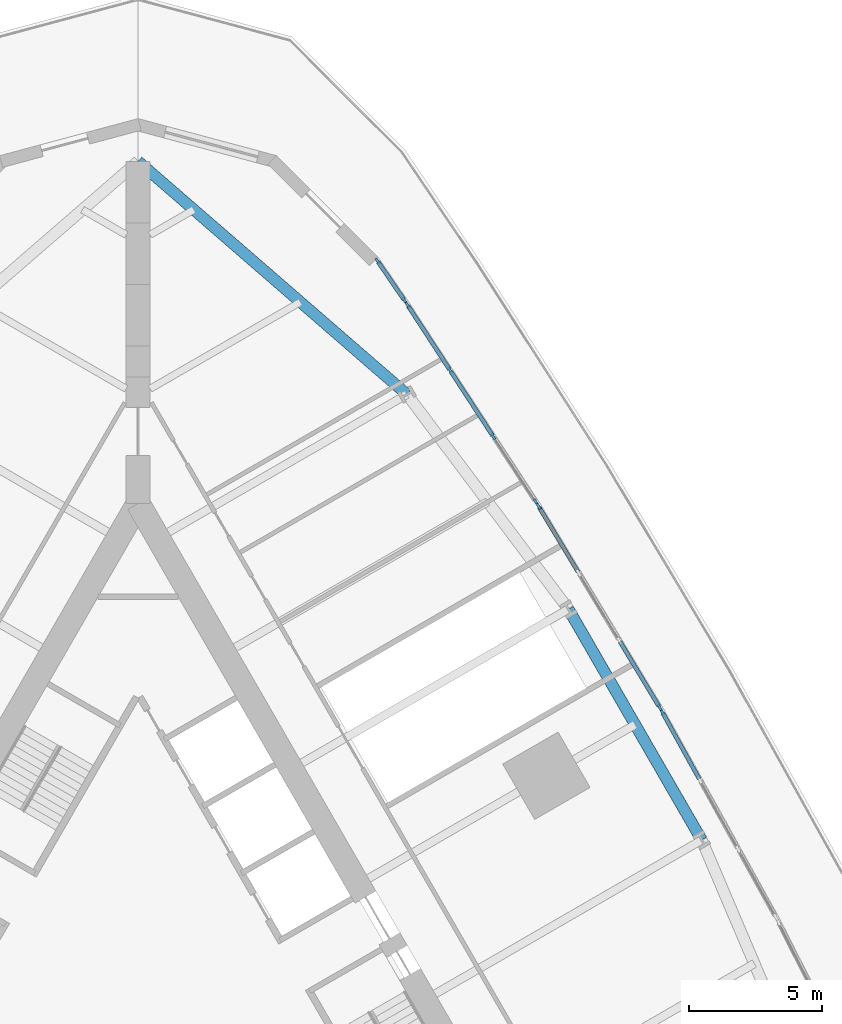
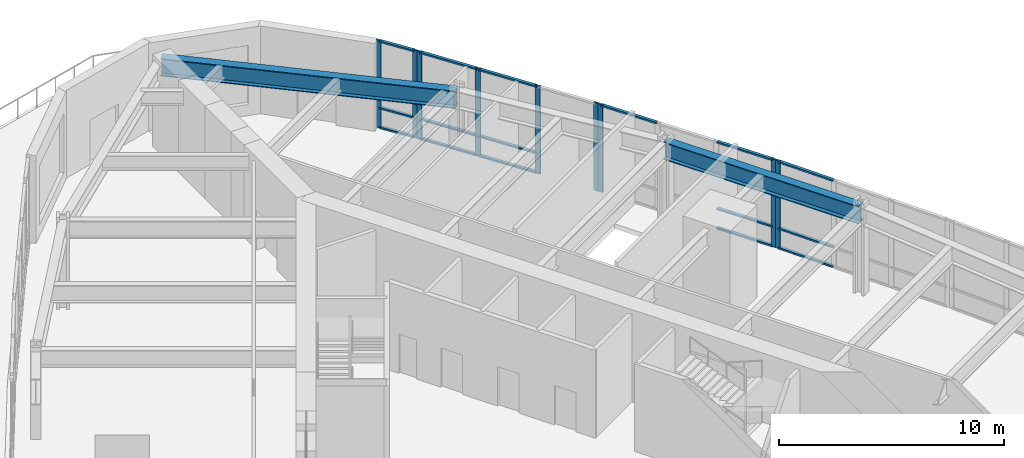
# One storey, part 5 of 13: 25 members, 2 beams, 4 elements without a shape of their own.
"""IFC4 building model written with IfcOpenShell, lengths in metres."""

from ifc_helpers import new_model, si_unit, direction, frame, origin, origin_2d, place, context, subcontext, project, spatial, rectangle, i_section, extrude, material, material_profile, profile_set, type_object, element, aggregate, save


model = new_model("IFC4")

# Units and contexts
model_context = context("Model", 3, precision=1e-05, world=origin(), true_north=direction((0.0, 1.0)))
body_context = subcontext(model_context, "Body", "Model", "MODEL_VIEW")
ifc_project = project(units=[si_unit("LENGTHUNIT", "METRE"), si_unit("AREAUNIT", "SQUARE_METRE"), si_unit("VOLUMEUNIT", "CUBIC_METRE"), si_unit("PLANEANGLEUNIT", "RADIAN"), si_unit("MASSUNIT", "GRAM", prefix="KILO")], contexts=[model_context])

# Site, building, storey
site_placement = place(None, origin())
site = spatial("IfcSite", under=ifc_project, at=site_placement, CompositionType="ELEMENT")
building_placement = place(site_placement, origin())
building = spatial("IfcBuilding", under=site, at=building_placement, Name="Trikona Tower", CompositionType="ELEMENT")
storey_placement = place(building_placement, frame((0.0, 0.0, 17.5)))
storey = spatial("IfcBuildingStorey", under=building, at=storey_placement, Name="L03", CompositionType="ELEMENT", Elevation=17.5)

# Curtain wall, member
ifc_material_1 = material(Name="Aluminium curtain wall system", Category="aluminium")
curtain_wall_type = type_object("IfcCurtainWallType", Name="Curtain wall PD", PredefinedType="NOTDEFINED", material=ifc_material_1)
curtain_wall_1_placement = place(storey_placement, origin())
curtain_wall_1 = element("IfcCurtainWall", 1, at=curtain_wall_1_placement, inside=storey, type_object=curtain_wall_type, Name="Curtain wall PD L03", PredefinedType="NOTDEFINED")
ifc_material_2 = material(Name="Aluminium mullion, pale anodised", Category="aluminium")
ifc_material_profile_1 = material_profile(ifc_material_2, rectangle(XDim=0.090087890625, YDim=0.25, at=origin_2d()), Name="MUL-PD")
ifc_profile_set_1 = profile_set([ifc_material_profile_1], Name="Aluminium mullion, pale anodised")
member_type_1 = type_object("IfcMemberType", Name="Mullion PD 90x250", PredefinedType="MULLION", material=ifc_profile_set_1)
member_1_placement = place(storey_placement, frame((19.65625, 11.2294921875, 0.0), z_axis=(0.0, 0.0, 1.0), x_axis=(-0.874884432916, -0.484331734497, 0.0)))
member_1 = element("IfcMember", 2, at=member_1_placement, type_object=member_type_1, Name="CW-PD mullion 4", PredefinedType="MULLION", context=body_context, shape_type="SweptSolid", body=[
    extrude(rectangle(XDim=0.090087890625, YDim=0.25, at=origin_2d()), origin(), (0.0, 0.0, 1.0), 4.75),
])

# Curtain wall, members
curtain_wall_2_placement = place(storey_placement, origin())
curtain_wall_2 = element("IfcCurtainWall", 3, at=curtain_wall_2_placement, inside=storey, type_object=curtain_wall_type, Name="Curtain wall PD L03", PredefinedType="NOTDEFINED")
member_2_placement = place(storey_placement, frame((19.552978515625, 11.408203125, 0.0), z_axis=(0.0, 0.0, 1.0), x_axis=(-0.856880333147, -0.51551536802, 0.0)))
member_2 = element("IfcMember", 4, at=member_2_placement, type_object=member_type_1, Name="CW-PD mullion 1", PredefinedType="MULLION", context=body_context, shape_type="SweptSolid", body=[
    extrude(rectangle(XDim=0.090087890625, YDim=0.25, at=origin_2d()), origin(), (0.0, 0.0, 1.0), 4.75),
])
member_3_placement = place(storey_placement, frame((15.02099609375, 18.94140625, 0.0), z_axis=(0.0, 0.0, 1.0), x_axis=(-0.856880333147, -0.51551536802, 0.0)))
member_3 = element("IfcMember", 5, at=member_3_placement, type_object=member_type_1, Name="CW-PD mullion 4", PredefinedType="MULLION", context=body_context, shape_type="SweptSolid", body=[
    extrude(rectangle(XDim=0.090087890625, YDim=0.25, at=origin_2d()), origin(), (0.0, 0.0, 1.0), 4.75),
])

curtain_wall_3_placement = place(storey_placement, origin())
curtain_wall_3 = element("IfcCurtainWall", 6, at=curtain_wall_3_placement, inside=storey, type_object=curtain_wall_type, Name="Curtain wall PD L03", PredefinedType="NOTDEFINED")
member_4_placement = place(storey_placement, frame((14.911376953125, 19.1162109375, 0.0), z_axis=(0.0, 0.0, 1.0), x_axis=(-0.83780024532, -0.545976875831, 0.0)))
member_4 = element("IfcMember", 7, at=member_4_placement, type_object=member_type_1, Name="CW-PD mullion 1", PredefinedType="MULLION", context=body_context, shape_type="SweptSolid", body=[
    extrude(rectangle(XDim=0.090087890625, YDim=0.25, at=origin_2d()), origin(), (0.0, 0.0, 1.0), 4.75),
])
member_5_placement = place(storey_placement, frame((13.317626953125, 21.56201171875, 0.0), z_axis=(0.0, 0.0, 1.0), x_axis=(-0.83780024532, -0.545976875831, 0.0)))
member_5 = element("IfcMember", 8, at=member_5_placement, type_object=member_type_1, Name="CW-PD mullion 2", PredefinedType="MULLION", context=body_context, shape_type="SweptSolid", body=[
    extrude(rectangle(XDim=0.090087890625, YDim=0.25, at=origin_2d()), origin(), (0.0, 0.0, 1.0), 4.75),
])
member_6_placement = place(storey_placement, frame((11.698974609375, 24.045654296875, 0.0), z_axis=(0.0, 0.0, 1.0), x_axis=(-0.83780024532, -0.545976875831, 0.0)))
member_6 = element("IfcMember", 9, at=member_6_placement, type_object=member_type_1, Name="CW-PD mullion 3", PredefinedType="MULLION", context=body_context, shape_type="SweptSolid", body=[
    extrude(rectangle(XDim=0.090087890625, YDim=0.25, at=origin_2d()), origin(), (0.0, 0.0, 1.0), 4.75),
])
member_7_placement = place(storey_placement, frame((10.105224609375, 26.491455078125, 0.0), z_axis=(0.0, 0.0, 1.0), x_axis=(-0.83780024532, -0.545976875831, 0.0)))
member_7 = element("IfcMember", 10, at=member_7_placement, type_object=member_type_1, Name="CW-PD mullion 4", PredefinedType="MULLION", context=body_context, shape_type="SweptSolid", body=[
    extrude(rectangle(XDim=0.090087890625, YDim=0.25, at=origin_2d()), origin(), (0.0, 0.0, 1.0), 4.75),
])

curtain_wall_4_placement = place(storey_placement, origin())
curtain_wall_4 = element("IfcCurtainWall", 11, at=curtain_wall_4_placement, inside=storey, type_object=curtain_wall_type, Name="Curtain wall PD L03", PredefinedType="NOTDEFINED")
member_8_placement = place(storey_placement, frame((9.98974609375, 26.664306640625, 0.0), z_axis=(0.0, 0.0, 1.0), x_axis=(-0.825656992245, -0.564172430341, 0.0)))
member_8 = element("IfcMember", 12, at=member_8_placement, type_object=member_type_1, Name="CW-PD mullion 1", PredefinedType="MULLION", context=body_context, shape_type="SweptSolid", body=[
    extrude(rectangle(XDim=0.090087890625, YDim=0.25, at=origin_2d()), origin(), (0.0, 0.0, 1.0), 4.75),
])
member_9_placement = place(storey_placement, frame((8.976806640625, 28.14697265625, 0.0), z_axis=(0.0, 0.0, 1.0), x_axis=(-0.825656992245, -0.564172430341, 0.0)))
member_9 = element("IfcMember", 13, at=member_9_placement, type_object=member_type_1, Name="CW-PD mullion 2", PredefinedType="MULLION", context=body_context, shape_type="SweptSolid", body=[
    extrude(rectangle(XDim=0.090087890625, YDim=0.25, at=origin_2d()), origin(), (0.0, 0.0, 1.0), 4.75),
])

# Beams
ifc_material_3 = material(Name="Steel ASTM A992 Grade 50", Category="steel")
ifc_material_profile_2 = material_profile(ifc_material_3, i_section(OverallWidth=0.424072265625, OverallDepth=0.947509765625, WebThickness=0.02392578125, FlangeThickness=0.042724609375, at=origin_2d()), Name="W36X302")
ifc_profile_set_2 = profile_set([ifc_material_profile_2], Name="Steel ASTM A992 Grade 50")
beam_type = type_object("IfcBeamType", Name="Steel beam W36x302 (pod tower spandrel)", PredefinedType="BEAM", material=ifc_profile_set_2)
beam_1_placement = place(storey_placement, frame((21.13720703125, 6.43017578125, 4.2763671875), z_axis=(-0.500004234368, 0.866022959057, 0.0), x_axis=(-0.866022959057, -0.500004234368, 0.0)))
element("IfcBeam", 14, at=beam_1_placement, inside=storey, type_object=beam_type, Name="Spandrel beam L04 F2-3", PredefinedType="BEAM", context=body_context, shape_type="SweptSolid", body=[
    extrude(i_section(OverallWidth=0.424072265625, OverallDepth=0.947509765625, WebThickness=0.02392578125, FlangeThickness=0.042724609375, at=origin_2d()), origin(), (0.0, 0.0, 1.0), 10.0),
])
beam_2_placement = place(storey_placement, frame((10.0830078125, 23.141845703125, 4.2763671875), z_axis=(-0.755646822726, 0.654979296851, 0.0), x_axis=(-0.654979296851, -0.755646822726, 0.0)))
element("IfcBeam", 15, at=beam_2_placement, inside=storey, type_object=beam_type, Name="Spandrel beam L04 F2-5", PredefinedType="BEAM", context=body_context, shape_type="SweptSolid", body=[
    extrude(i_section(OverallWidth=0.424072265625, OverallDepth=0.947509765625, WebThickness=0.02392578125, FlangeThickness=0.042724609375, at=origin_2d()), origin(), (0.0, 0.0, 1.0), 13.343505859375),
])

# Member
ifc_material_4 = material(Name="Aluminium transom, pale anodised", Category="aluminium")
ifc_material_profile_3 = material_profile(ifc_material_4, rectangle(XDim=0.14990234375, YDim=0.090087890625, at=origin_2d()), Name="TRN-PD")
ifc_profile_set_3 = profile_set([ifc_material_profile_3], Name="Aluminium transom, pale anodised")
member_type_2 = type_object("IfcMemberType", Name="Transom PD 90x150", PredefinedType="USERDEFINED", material=ifc_profile_set_3)
member_10_placement = place(storey_placement, frame((21.04638671875, 8.718017578125, 0.044921875), z_axis=(-0.484321788421, 0.874889938941, 0.0), x_axis=(-0.874889938941, -0.484321788421, 0.0)))
member_10 = element("IfcMember", 16, at=member_10_placement, type_object=member_type_2, Name="CW-PD transom 3.1", ObjectType="TRANSOM", PredefinedType="USERDEFINED", context=body_context, shape_type="SweptSolid", body=[
    extrude(rectangle(XDim=0.14990234375, YDim=0.090087890625, at=origin_2d()), origin(), (0.0, 0.0, 1.0), 2.825439453125),
])

member_11_placement = place(storey_placement, frame((21.04638671875, 8.718017578125, 1.10009765625), z_axis=(-0.484321788421, 0.874889938941, 0.0), x_axis=(-0.874889938941, -0.484321788421, 0.0)))
member_11 = element("IfcMember", 17, at=member_11_placement, type_object=member_type_2, Name="CW-PD transom 3.2", ObjectType="TRANSOM", PredefinedType="USERDEFINED", context=body_context, shape_type="SweptSolid", body=[
    extrude(rectangle(XDim=0.14990234375, YDim=0.090087890625, at=origin_2d()), origin(), (0.0, 0.0, 1.0), 2.825439453125),
])

member_12_placement = place(storey_placement, frame((21.04638671875, 8.718017578125, 4.705078125), z_axis=(-0.484321788421, 0.874889938941, 0.0), x_axis=(-0.874889938941, -0.484321788421, 0.0)))
member_12 = element("IfcMember", 18, at=member_12_placement, type_object=member_type_2, Name="CW-PD transom 3.3", ObjectType="TRANSOM", PredefinedType="USERDEFINED", context=body_context, shape_type="SweptSolid", body=[
    extrude(rectangle(XDim=0.14990234375, YDim=0.090087890625, at=origin_2d()), origin(), (0.0, 0.0, 1.0), 2.825439453125),
])

aggregate(curtain_wall_1, [member_1, member_10, member_11, member_12])

member_13_placement = place(storey_placement, frame((19.52978515625, 11.44677734375, 0.044921875), z_axis=(-0.515499239324, 0.856890036268, 0.0), x_axis=(-0.856890036268, -0.515499239324, 0.0)))
member_13 = element("IfcMember", 19, at=member_13_placement, type_object=member_type_2, Name="CW-PD transom 1.1", ObjectType="TRANSOM", PredefinedType="USERDEFINED", context=body_context, shape_type="SweptSolid", body=[
    extrude(rectangle(XDim=0.14990234375, YDim=0.090087890625, at=origin_2d()), origin(), (0.0, 0.0, 1.0), 2.825439453125),
])

member_14_placement = place(storey_placement, frame((19.52978515625, 11.44677734375, 1.10009765625), z_axis=(-0.515499239324, 0.856890036268, 0.0), x_axis=(-0.856890036268, -0.515499239324, 0.0)))
member_14 = element("IfcMember", 20, at=member_14_placement, type_object=member_type_2, Name="CW-PD transom 1.2", ObjectType="TRANSOM", PredefinedType="USERDEFINED", context=body_context, shape_type="SweptSolid", body=[
    extrude(rectangle(XDim=0.14990234375, YDim=0.090087890625, at=origin_2d()), origin(), (0.0, 0.0, 1.0), 2.825439453125),
])

member_15_placement = place(storey_placement, frame((19.52978515625, 11.44677734375, 4.705078125), z_axis=(-0.515499239324, 0.856890036268, 0.0), x_axis=(-0.856890036268, -0.515499239324, 0.0)))
member_15 = element("IfcMember", 21, at=member_15_placement, type_object=member_type_2, Name="CW-PD transom 1.3", ObjectType="TRANSOM", PredefinedType="USERDEFINED", context=body_context, shape_type="SweptSolid", body=[
    extrude(rectangle(XDim=0.14990234375, YDim=0.090087890625, at=origin_2d()), origin(), (0.0, 0.0, 1.0), 2.825439453125),
])

member_16_placement = place(storey_placement, frame((16.500732421875, 16.481689453125, 4.705078125), z_axis=(-0.515499239324, 0.856890036268, 0.0), x_axis=(-0.856890036268, -0.515499239324, 0.0)))
member_16 = element("IfcMember", 22, at=member_16_placement, type_object=member_type_2, Name="CW-PD transom 3.3", ObjectType="TRANSOM", PredefinedType="USERDEFINED", context=body_context, shape_type="SweptSolid", body=[
    extrude(rectangle(XDim=0.14990234375, YDim=0.090087890625, at=origin_2d()), origin(), (0.0, 0.0, 1.0), 2.825439453125),
])

aggregate(curtain_wall_2, [member_2, member_3, member_13, member_14, member_15, member_16])

member_17_placement = place(storey_placement, frame((13.29296875, 21.599853515625, 0.044921875), z_axis=(-0.545967203387, 0.83780654857, 0.0), x_axis=(-0.83780654857, -0.545967203387, 0.0)))
member_17 = element("IfcMember", 23, at=member_17_placement, type_object=member_type_2, Name="CW-PD transom 2.1", ObjectType="TRANSOM", PredefinedType="USERDEFINED", context=body_context, shape_type="SweptSolid", body=[
    extrude(rectangle(XDim=0.14990234375, YDim=0.090087890625, at=origin_2d()), origin(), (0.0, 0.0, 1.0), 2.87451171875),
])

member_18_placement = place(storey_placement, frame((13.29296875, 21.599853515625, 1.10009765625), z_axis=(-0.545967203387, 0.83780654857, 0.0), x_axis=(-0.83780654857, -0.545967203387, 0.0)))
member_18 = element("IfcMember", 24, at=member_18_placement, type_object=member_type_2, Name="CW-PD transom 2.2", ObjectType="TRANSOM", PredefinedType="USERDEFINED", context=body_context, shape_type="SweptSolid", body=[
    extrude(rectangle(XDim=0.14990234375, YDim=0.090087890625, at=origin_2d()), origin(), (0.0, 0.0, 1.0), 2.87451171875),
])

member_19_placement = place(storey_placement, frame((13.29296875, 21.599853515625, 4.705078125), z_axis=(-0.545967203387, 0.83780654857, 0.0), x_axis=(-0.83780654857, -0.545967203387, 0.0)))
member_19 = element("IfcMember", 25, at=member_19_placement, type_object=member_type_2, Name="CW-PD transom 2.3", ObjectType="TRANSOM", PredefinedType="USERDEFINED", context=body_context, shape_type="SweptSolid", body=[
    extrude(rectangle(XDim=0.14990234375, YDim=0.090087890625, at=origin_2d()), origin(), (0.0, 0.0, 1.0), 2.87451171875),
])

member_20_placement = place(storey_placement, frame((11.674560546875, 24.083251953125, 0.044921875), z_axis=(-0.545988766057, 0.837792496588, 0.0), x_axis=(-0.837792496588, -0.545988766057, 0.0)))
member_20 = element("IfcMember", 26, at=member_20_placement, type_object=member_type_2, Name="CW-PD transom 3.1", ObjectType="TRANSOM", PredefinedType="USERDEFINED", context=body_context, shape_type="SweptSolid", body=[
    extrude(rectangle(XDim=0.14990234375, YDim=0.090087890625, at=origin_2d()), origin(), (0.0, 0.0, 1.0), 2.82958984375),
])

member_21_placement = place(storey_placement, frame((11.674560546875, 24.083251953125, 1.10009765625), z_axis=(-0.545988766057, 0.837792496588, 0.0), x_axis=(-0.837792496588, -0.545988766057, 0.0)))
member_21 = element("IfcMember", 27, at=member_21_placement, type_object=member_type_2, Name="CW-PD transom 3.2", ObjectType="TRANSOM", PredefinedType="USERDEFINED", context=body_context, shape_type="SweptSolid", body=[
    extrude(rectangle(XDim=0.14990234375, YDim=0.090087890625, at=origin_2d()), origin(), (0.0, 0.0, 1.0), 2.82958984375),
])

member_22_placement = place(storey_placement, frame((11.674560546875, 24.083251953125, 4.705078125), z_axis=(-0.545988766057, 0.837792496588, 0.0), x_axis=(-0.837792496588, -0.545988766057, 0.0)))
member_22 = element("IfcMember", 28, at=member_22_placement, type_object=member_type_2, Name="CW-PD transom 3.3", ObjectType="TRANSOM", PredefinedType="USERDEFINED", context=body_context, shape_type="SweptSolid", body=[
    extrude(rectangle(XDim=0.14990234375, YDim=0.090087890625, at=origin_2d()), origin(), (0.0, 0.0, 1.0), 2.82958984375),
])

aggregate(curtain_wall_3, [member_4, member_5, member_6, member_7, member_17, member_18, member_19, member_20, member_21, member_22])

member_23_placement = place(storey_placement, frame((9.96435546875, 26.701416015625, 0.044921875), z_axis=(-0.564078293545, 0.825721308161, 0.0), x_axis=(-0.825721308161, -0.564078293545, 0.0)))
member_23 = element("IfcMember", 29, at=member_23_placement, type_object=member_type_2, Name="CW-PD transom 1.1", ObjectType="TRANSOM", PredefinedType="USERDEFINED", context=body_context, shape_type="SweptSolid", body=[
    extrude(rectangle(XDim=0.14990234375, YDim=0.090087890625, at=origin_2d()), origin(), (0.0, 0.0, 1.0), 1.705810546875),
])

member_24_placement = place(storey_placement, frame((9.96435546875, 26.701416015625, 1.10009765625), z_axis=(-0.564078293545, 0.825721308161, 0.0), x_axis=(-0.825721308161, -0.564078293545, 0.0)))
member_24 = element("IfcMember", 30, at=member_24_placement, type_object=member_type_2, Name="CW-PD transom 1.2", ObjectType="TRANSOM", PredefinedType="USERDEFINED", context=body_context, shape_type="SweptSolid", body=[
    extrude(rectangle(XDim=0.14990234375, YDim=0.090087890625, at=origin_2d()), origin(), (0.0, 0.0, 1.0), 1.705810546875),
])

member_25_placement = place(storey_placement, frame((9.96435546875, 26.701416015625, 4.705078125), z_axis=(-0.564078293545, 0.825721308161, 0.0), x_axis=(-0.825721308161, -0.564078293545, 0.0)))
member_25 = element("IfcMember", 31, at=member_25_placement, type_object=member_type_2, Name="CW-PD transom 1.3", ObjectType="TRANSOM", PredefinedType="USERDEFINED", context=body_context, shape_type="SweptSolid", body=[
    extrude(rectangle(XDim=0.14990234375, YDim=0.090087890625, at=origin_2d()), origin(), (0.0, 0.0, 1.0), 1.705810546875),
])

aggregate(curtain_wall_4, [member_8, member_9, member_23, member_24, member_25])

save(model, "model.ifc")
